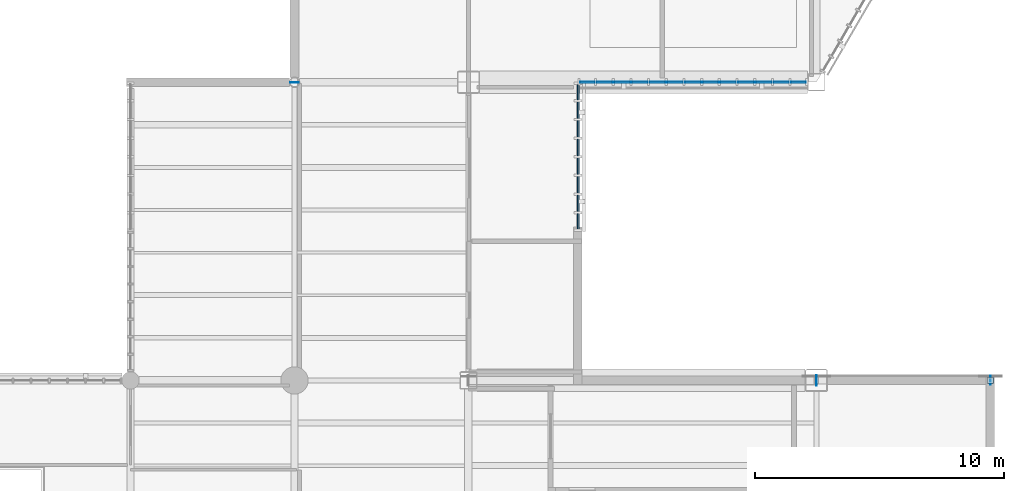
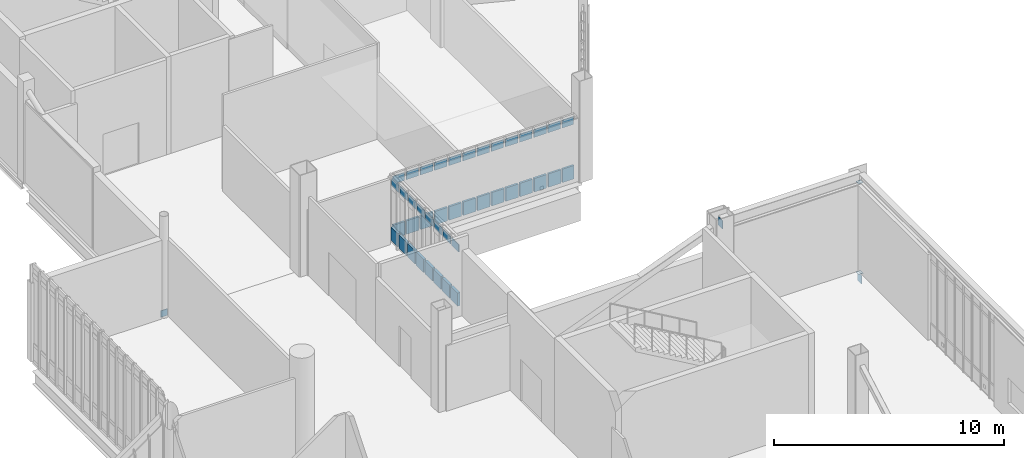
# One storey, part 95 of 127: 47 plates, 2 elements without a shape of their own.
"""IFC4 building model written with IfcOpenShell, lengths in metres."""

from ifc_helpers import new_model, si_unit, direction, frame, origin, origin_2d, place, context, subcontext, project, spatial, rectangle, extrude, material, layer, layer_set, type_object, element, aggregate, save


model = new_model("IFC4")

# Units and contexts
model_context = context("Model", 3, precision=1e-05, world=origin(), true_north=direction((0.0, 1.0)))
body_context = subcontext(model_context, "Body", "Model", "MODEL_VIEW")
ifc_project = project(units=[si_unit("LENGTHUNIT", "METRE"), si_unit("AREAUNIT", "SQUARE_METRE"), si_unit("VOLUMEUNIT", "CUBIC_METRE"), si_unit("PLANEANGLEUNIT", "RADIAN"), si_unit("MASSUNIT", "GRAM", prefix="KILO")], contexts=[model_context])

# Site, building, storey
site_placement = place(None, origin())
site = spatial("IfcSite", under=ifc_project, at=site_placement, CompositionType="ELEMENT")
building_placement = place(site_placement, origin())
building = spatial("IfcBuilding", under=site, at=building_placement, Name="Larkvane Passage Sports Hall", CompositionType="ELEMENT")
storey_placement = place(building_placement, frame((0.0, 0.0, 5.39990234375)))
storey = spatial("IfcBuildingStorey", under=building, at=storey_placement, Name="L01", CompositionType="ELEMENT", Elevation=5.39990234375)

# Curtain wall, plates
ifc_material_1 = material(Name="Thermally broken aluminium and low-E glazing", Category="aluminium")
curtain_wall_type_1 = type_object("IfcCurtainWallType", Name="CW-STICK-FOYER", PredefinedType="USERDEFINED", material=ifc_material_1)
curtain_wall_1_placement = place(storey_placement, origin())
curtain_wall_1 = element("IfcCurtainWall", 1, at=curtain_wall_1_placement, inside=storey, type_object=curtain_wall_type_1, Name="Curtain wall CW5-L01-058", ObjectType="STICK CURTAIN WALL", PredefinedType="USERDEFINED")
ifc_material_2 = material(Name="Fire-stopped shadow-box spandrel panel")
ifc_layer_1 = layer(ifc_material_2, 0.10498046875)
ifc_layer_set_1 = layer_set([ifc_layer_1], Name="Fire-stopped shadow-box spandrel panel")
plate_type_1 = type_object("IfcPlateType", Name="CWP-SPD-105", PredefinedType="CURTAIN_PANEL", material=ifc_layer_set_1)
plate_1_placement = place(storey_placement, frame((144.87548828125, 63.60009765625, 0.08984375), z_axis=(0.0, 0.0, 1.0), x_axis=(-1.0, 0.0, 0.0)))
plate_1 = element("IfcPlate", 2, at=plate_1_placement, type_object=plate_type_1, Name="CW-03 panel 1.1", PredefinedType="CURTAIN_PANEL", context=body_context, shape_type="SweptSolid", body=[
    extrude(rectangle(XDim=0.576904296875, YDim=0.10498046875, at=origin_2d()), origin(), (0.0, 0.0, 1.0), 0.715087890625),
])
plate_2_placement = place(storey_placement, frame((144.186279296875, 63.60009765625, 0.08984375), z_axis=(0.0, 0.0, 1.0), x_axis=(-1.0, 0.0, 0.0)))
plate_2 = element("IfcPlate", 3, at=plate_2_placement, type_object=plate_type_1, Name="CW-03 panel 2.1", PredefinedType="CURTAIN_PANEL", context=body_context, shape_type="SweptSolid", body=[
    extrude(rectangle(XDim=0.621826171875, YDim=0.10498046875, at=origin_2d()), origin(), (0.0, 0.0, 1.0), 0.715087890625),
])
plate_3_placement = place(storey_placement, frame((143.474365234375, 63.60009765625, 0.08984375), z_axis=(0.0, 0.0, 1.0), x_axis=(-1.0, 0.0, 0.0)))
plate_3 = element("IfcPlate", 4, at=plate_3_placement, type_object=plate_type_1, Name="CW-03 panel 3.1", PredefinedType="CURTAIN_PANEL", context=body_context, shape_type="SweptSolid", body=[
    extrude(rectangle(XDim=0.621826171875, YDim=0.10498046875, at=origin_2d()), origin(), (0.0, 0.0, 1.0), 0.715087890625),
])
plate_4_placement = place(storey_placement, frame((142.762451171875, 63.60009765625, 0.08984375), z_axis=(0.0, 0.0, 1.0), x_axis=(-1.0, 0.0, 0.0)))
plate_4 = element("IfcPlate", 5, at=plate_4_placement, type_object=plate_type_1, Name="CW-03 panel 4.1", PredefinedType="CURTAIN_PANEL", context=body_context, shape_type="SweptSolid", body=[
    extrude(rectangle(XDim=0.621826171875, YDim=0.10498046875, at=origin_2d()), origin(), (0.0, 0.0, 1.0), 0.715087890625),
])
plate_5_placement = place(storey_placement, frame((142.05078125, 63.60009765625, 0.08984375), z_axis=(0.0, 0.0, 1.0), x_axis=(-1.0, 0.0, 0.0)))
plate_5 = element("IfcPlate", 6, at=plate_5_placement, type_object=plate_type_1, Name="CW-03 panel 5.1", PredefinedType="CURTAIN_PANEL", context=body_context, shape_type="SweptSolid", body=[
    extrude(rectangle(XDim=0.621826171875, YDim=0.10498046875, at=origin_2d()), origin(), (0.0, 0.0, 1.0), 0.715087890625),
])
plate_6_placement = place(storey_placement, frame((141.3388671875, 63.60009765625, 0.08984375), z_axis=(0.0, 0.0, 1.0), x_axis=(-1.0, 0.0, 0.0)))
plate_6 = element("IfcPlate", 7, at=plate_6_placement, type_object=plate_type_1, Name="CW-03 panel 6.1", PredefinedType="CURTAIN_PANEL", context=body_context, shape_type="SweptSolid", body=[
    extrude(rectangle(XDim=0.621826171875, YDim=0.10498046875, at=origin_2d()), origin(), (0.0, 0.0, 1.0), 0.715087890625),
])
plate_7_placement = place(storey_placement, frame((140.626953125, 63.60009765625, 0.08984375), z_axis=(0.0, 0.0, 1.0), x_axis=(-1.0, 0.0, 0.0)))
plate_7 = element("IfcPlate", 8, at=plate_7_placement, type_object=plate_type_1, Name="CW-03 panel 7.1", PredefinedType="CURTAIN_PANEL", context=body_context, shape_type="SweptSolid", body=[
    extrude(rectangle(XDim=0.621826171875, YDim=0.10498046875, at=origin_2d()), origin(), (0.0, 0.0, 1.0), 0.715087890625),
])
plate_8_placement = place(storey_placement, frame((139.9150390625, 63.60009765625, 0.08984375), z_axis=(0.0, 0.0, 1.0), x_axis=(-1.0, 0.0, 0.0)))
plate_8 = element("IfcPlate", 9, at=plate_8_placement, type_object=plate_type_1, Name="CW-03 panel 8.1", PredefinedType="CURTAIN_PANEL", context=body_context, shape_type="SweptSolid", body=[
    extrude(rectangle(XDim=0.621826171875, YDim=0.10498046875, at=origin_2d()), origin(), (0.0, 0.0, 1.0), 0.715087890625),
])
plate_9_placement = place(storey_placement, frame((139.203369140625, 63.60009765625, 0.08984375), z_axis=(0.0, 0.0, 1.0), x_axis=(-1.0, 0.0, 0.0)))
plate_9 = element("IfcPlate", 10, at=plate_9_placement, type_object=plate_type_1, Name="CW-03 panel 9.1", PredefinedType="CURTAIN_PANEL", context=body_context, shape_type="SweptSolid", body=[
    extrude(rectangle(XDim=0.621826171875, YDim=0.10498046875, at=origin_2d()), origin(), (0.0, 0.0, 1.0), 0.715087890625),
])
plate_10_placement = place(storey_placement, frame((138.491455078125, 63.60009765625, 0.08984375), z_axis=(0.0, 0.0, 1.0), x_axis=(-1.0, 0.0, 0.0)))
plate_10 = element("IfcPlate", 11, at=plate_10_placement, type_object=plate_type_1, Name="CW-03 panel 10.1", PredefinedType="CURTAIN_PANEL", context=body_context, shape_type="SweptSolid", body=[
    extrude(rectangle(XDim=0.621826171875, YDim=0.10498046875, at=origin_2d()), origin(), (0.0, 0.0, 1.0), 0.715087890625),
])
plate_11_placement = place(storey_placement, frame((137.779541015625, 63.60009765625, 0.08984375), z_axis=(0.0, 0.0, 1.0), x_axis=(-1.0, 0.0, 0.0)))
plate_11 = element("IfcPlate", 12, at=plate_11_placement, type_object=plate_type_1, Name="CW-03 panel 11.1", PredefinedType="CURTAIN_PANEL", context=body_context, shape_type="SweptSolid", body=[
    extrude(rectangle(XDim=0.621826171875, YDim=0.10498046875, at=origin_2d()), origin(), (0.0, 0.0, 1.0), 0.715087890625),
])
plate_12_placement = place(storey_placement, frame((137.06787109375, 63.60009765625, 0.08984375), z_axis=(0.0, 0.0, 1.0), x_axis=(-1.0, 0.0, 0.0)))
plate_12 = element("IfcPlate", 13, at=plate_12_placement, type_object=plate_type_1, Name="CW-03 panel 12.1", PredefinedType="CURTAIN_PANEL", context=body_context, shape_type="SweptSolid", body=[
    extrude(rectangle(XDim=0.621826171875, YDim=0.10498046875, at=origin_2d()), origin(), (0.0, 0.0, 1.0), 0.715087890625),
])
plate_13_placement = place(storey_placement, frame((136.37841796875, 63.60009765625, 0.08984375), z_axis=(0.0, 0.0, 1.0), x_axis=(-1.0, 0.0, 0.0)))
plate_13 = element("IfcPlate", 14, at=plate_13_placement, type_object=plate_type_1, Name="CW-03 panel 13.1", PredefinedType="CURTAIN_PANEL", context=body_context, shape_type="SweptSolid", body=[
    extrude(rectangle(XDim=0.576904296875, YDim=0.10498046875, at=origin_2d()), origin(), (0.0, 0.0, 1.0), 0.715087890625),
])

curtain_wall_type_2 = type_object("IfcCurtainWallType", Name="CW-CLINIC", PredefinedType="USERDEFINED", material=ifc_material_1)
curtain_wall_2_placement = place(storey_placement, origin())
curtain_wall_2 = element("IfcCurtainWall", 15, at=curtain_wall_2_placement, inside=storey, type_object=curtain_wall_type_2, Name="Curtain wall CW5-L01-059", ObjectType="UNITISED CURTAIN WALL", PredefinedType="USERDEFINED")
ifc_material_3 = material(Name="Deep insulated facade spandrel panel")
ifc_layer_2 = layer(ifc_material_3, 0.125)
ifc_layer_set_2 = layer_set([ifc_layer_2], Name="Deep insulated facade spandrel panel")
plate_type_2 = type_object("IfcPlateType", Name="CWP-SPD-125", PredefinedType="CURTAIN_PANEL", material=ifc_layer_set_2)
plate_14_placement = place(storey_placement, frame((136.0, 63.199951171875, 0.10009765625), z_axis=(0.0, 0.0, 1.0), x_axis=(0.0, -1.0, 0.0)))
plate_14 = element("IfcPlate", 16, at=plate_14_placement, type_object=plate_type_2, Name="CW-05 panel 1.1", PredefinedType="CURTAIN_PANEL", context=body_context, shape_type="SweptSolid", body=[
    extrude(rectangle(XDim=0.60009765625, YDim=0.125, at=origin_2d()), origin(), (0.0, 0.0, 1.0), 0.699951171875),
])
plate_15_placement = place(storey_placement, frame((136.0, 62.47509765625, 0.10009765625), z_axis=(0.0, 0.0, 1.0), x_axis=(0.0, -1.0, 0.0)))
plate_15 = element("IfcPlate", 17, at=plate_15_placement, type_object=plate_type_2, Name="CW-05 panel 2.1", PredefinedType="CURTAIN_PANEL", context=body_context, shape_type="SweptSolid", body=[
    extrude(rectangle(XDim=0.64990234375, YDim=0.125, at=origin_2d()), origin(), (0.0, 0.0, 1.0), 0.699951171875),
])
plate_16_placement = place(storey_placement, frame((136.0, 61.72509765625, 0.10009765625), z_axis=(0.0, 0.0, 1.0), x_axis=(0.0, -1.0, 0.0)))
plate_16 = element("IfcPlate", 18, at=plate_16_placement, type_object=plate_type_2, Name="CW-05 panel 3.1", PredefinedType="CURTAIN_PANEL", context=body_context, shape_type="SweptSolid", body=[
    extrude(rectangle(XDim=0.64990234375, YDim=0.125, at=origin_2d()), origin(), (0.0, 0.0, 1.0), 0.699951171875),
])
plate_17_placement = place(storey_placement, frame((136.0, 60.97509765625, 0.10009765625), z_axis=(0.0, 0.0, 1.0), x_axis=(0.0, -1.0, 0.0)))
plate_17 = element("IfcPlate", 19, at=plate_17_placement, type_object=plate_type_2, Name="CW-05 panel 4.1", PredefinedType="CURTAIN_PANEL", context=body_context, shape_type="SweptSolid", body=[
    extrude(rectangle(XDim=0.64990234375, YDim=0.125, at=origin_2d()), origin(), (0.0, 0.0, 1.0), 0.699951171875),
])
plate_18_placement = place(storey_placement, frame((136.0, 60.22509765625, 0.10009765625), z_axis=(0.0, 0.0, 1.0), x_axis=(0.0, -1.0, 0.0)))
plate_18 = element("IfcPlate", 20, at=plate_18_placement, type_object=plate_type_2, Name="CW-05 panel 5.1", PredefinedType="CURTAIN_PANEL", context=body_context, shape_type="SweptSolid", body=[
    extrude(rectangle(XDim=0.64990234375, YDim=0.125, at=origin_2d()), origin(), (0.0, 0.0, 1.0), 0.699951171875),
])
plate_19_placement = place(storey_placement, frame((136.0, 59.47509765625, 0.10009765625), z_axis=(0.0, 0.0, 1.0), x_axis=(0.0, -1.0, 0.0)))
plate_19 = element("IfcPlate", 21, at=plate_19_placement, type_object=plate_type_2, Name="CW-05 panel 6.1", PredefinedType="CURTAIN_PANEL", context=body_context, shape_type="SweptSolid", body=[
    extrude(rectangle(XDim=0.64990234375, YDim=0.125, at=origin_2d()), origin(), (0.0, 0.0, 1.0), 0.699951171875),
])
plate_20_placement = place(storey_placement, frame((136.0, 58.72509765625, 0.10009765625), z_axis=(0.0, 0.0, 1.0), x_axis=(0.0, -1.0, 0.0)))
plate_20 = element("IfcPlate", 22, at=plate_20_placement, type_object=plate_type_2, Name="CW-05 panel 7.1", PredefinedType="CURTAIN_PANEL", context=body_context, shape_type="SweptSolid", body=[
    extrude(rectangle(XDim=0.64990234375, YDim=0.125, at=origin_2d()), origin(), (0.0, 0.0, 1.0), 0.699951171875),
])
plate_21_placement = place(storey_placement, frame((136.0, 58.0, 0.10009765625), z_axis=(0.0, 0.0, 1.0), x_axis=(0.0, -1.0, 0.0)))
plate_21 = element("IfcPlate", 23, at=plate_21_placement, type_object=plate_type_2, Name="CW-05 panel 8.1", PredefinedType="CURTAIN_PANEL", context=body_context, shape_type="SweptSolid", body=[
    extrude(rectangle(XDim=0.60009765625, YDim=0.125, at=origin_2d()), origin(), (0.0, 0.0, 1.0), 0.699951171875),
])

# Plate
ifc_material_4 = material(Name="High-impact court low-E glazing", Category="glass")
ifc_layer_3 = layer(ifc_material_4, 0.035888671875)
ifc_layer_set_3 = layer_set([ifc_layer_3], Name="High-impact court low-E glazing")
plate_type_3 = type_object("IfcPlateType", Name="CWP-VIS-36", PredefinedType="CURTAIN_PANEL", material=ifc_layer_set_3)
plate_22_placement = place(storey_placement, frame((144.87548828125, 63.60009765625, 2.963134765625), z_axis=(0.0, 0.0, 1.0), x_axis=(-1.0, 0.0, 0.0)))
plate_22 = element("IfcPlate", 24, at=plate_22_placement, type_object=plate_type_3, Name="CW-03 panel 1.3", PredefinedType="CURTAIN_PANEL", context=body_context, shape_type="SweptSolid", body=[
    extrude(rectangle(XDim=0.576904296875, YDim=0.035888671875, at=origin_2d()), origin(), (0.0, 0.0, 1.0), 0.4150390625),
])

plate_23_placement = place(storey_placement, frame((144.186279296875, 63.60009765625, 2.963134765625), z_axis=(0.0, 0.0, 1.0), x_axis=(-1.0, 0.0, 0.0)))
plate_23 = element("IfcPlate", 25, at=plate_23_placement, type_object=plate_type_3, Name="CW-03 panel 2.3", PredefinedType="CURTAIN_PANEL", context=body_context, shape_type="SweptSolid", body=[
    extrude(rectangle(XDim=0.621826171875, YDim=0.035888671875, at=origin_2d()), origin(), (0.0, 0.0, 1.0), 0.4150390625),
])

plate_24_placement = place(storey_placement, frame((143.474365234375, 63.60009765625, 2.963134765625), z_axis=(0.0, 0.0, 1.0), x_axis=(-1.0, 0.0, 0.0)))
plate_24 = element("IfcPlate", 26, at=plate_24_placement, type_object=plate_type_3, Name="CW-03 panel 3.3", PredefinedType="CURTAIN_PANEL", context=body_context, shape_type="SweptSolid", body=[
    extrude(rectangle(XDim=0.621826171875, YDim=0.035888671875, at=origin_2d()), origin(), (0.0, 0.0, 1.0), 0.4150390625),
])

plate_25_placement = place(storey_placement, frame((142.762451171875, 63.60009765625, 2.963134765625), z_axis=(0.0, 0.0, 1.0), x_axis=(-1.0, 0.0, 0.0)))
plate_25 = element("IfcPlate", 27, at=plate_25_placement, type_object=plate_type_3, Name="CW-03 panel 4.3", PredefinedType="CURTAIN_PANEL", context=body_context, shape_type="SweptSolid", body=[
    extrude(rectangle(XDim=0.621826171875, YDim=0.035888671875, at=origin_2d()), origin(), (0.0, 0.0, 1.0), 0.4150390625),
])

plate_26_placement = place(storey_placement, frame((142.05078125, 63.60009765625, 2.963134765625), z_axis=(0.0, 0.0, 1.0), x_axis=(-1.0, 0.0, 0.0)))
plate_26 = element("IfcPlate", 28, at=plate_26_placement, type_object=plate_type_3, Name="CW-03 panel 5.3", PredefinedType="CURTAIN_PANEL", context=body_context, shape_type="SweptSolid", body=[
    extrude(rectangle(XDim=0.621826171875, YDim=0.035888671875, at=origin_2d()), origin(), (0.0, 0.0, 1.0), 0.4150390625),
])

plate_27_placement = place(storey_placement, frame((141.3388671875, 63.60009765625, 2.963134765625), z_axis=(0.0, 0.0, 1.0), x_axis=(-1.0, 0.0, 0.0)))
plate_27 = element("IfcPlate", 29, at=plate_27_placement, type_object=plate_type_3, Name="CW-03 panel 6.3", PredefinedType="CURTAIN_PANEL", context=body_context, shape_type="SweptSolid", body=[
    extrude(rectangle(XDim=0.621826171875, YDim=0.035888671875, at=origin_2d()), origin(), (0.0, 0.0, 1.0), 0.4150390625),
])

plate_28_placement = place(storey_placement, frame((140.626953125, 63.60009765625, 2.963134765625), z_axis=(0.0, 0.0, 1.0), x_axis=(-1.0, 0.0, 0.0)))
plate_28 = element("IfcPlate", 30, at=plate_28_placement, type_object=plate_type_3, Name="CW-03 panel 7.3", PredefinedType="CURTAIN_PANEL", context=body_context, shape_type="SweptSolid", body=[
    extrude(rectangle(XDim=0.621826171875, YDim=0.035888671875, at=origin_2d()), origin(), (0.0, 0.0, 1.0), 0.4150390625),
])

plate_29_placement = place(storey_placement, frame((139.9150390625, 63.60009765625, 2.963134765625), z_axis=(0.0, 0.0, 1.0), x_axis=(-1.0, 0.0, 0.0)))
plate_29 = element("IfcPlate", 31, at=plate_29_placement, type_object=plate_type_3, Name="CW-03 panel 8.3", PredefinedType="CURTAIN_PANEL", context=body_context, shape_type="SweptSolid", body=[
    extrude(rectangle(XDim=0.621826171875, YDim=0.035888671875, at=origin_2d()), origin(), (0.0, 0.0, 1.0), 0.4150390625),
])

plate_30_placement = place(storey_placement, frame((139.203369140625, 63.60009765625, 2.963134765625), z_axis=(0.0, 0.0, 1.0), x_axis=(-1.0, 0.0, 0.0)))
plate_30 = element("IfcPlate", 32, at=plate_30_placement, type_object=plate_type_3, Name="CW-03 panel 9.3", PredefinedType="CURTAIN_PANEL", context=body_context, shape_type="SweptSolid", body=[
    extrude(rectangle(XDim=0.621826171875, YDim=0.035888671875, at=origin_2d()), origin(), (0.0, 0.0, 1.0), 0.4150390625),
])

plate_31_placement = place(storey_placement, frame((138.491455078125, 63.60009765625, 2.963134765625), z_axis=(0.0, 0.0, 1.0), x_axis=(-1.0, 0.0, 0.0)))
plate_31 = element("IfcPlate", 33, at=plate_31_placement, type_object=plate_type_3, Name="CW-03 panel 10.3", PredefinedType="CURTAIN_PANEL", context=body_context, shape_type="SweptSolid", body=[
    extrude(rectangle(XDim=0.621826171875, YDim=0.035888671875, at=origin_2d()), origin(), (0.0, 0.0, 1.0), 0.4150390625),
])

plate_32_placement = place(storey_placement, frame((137.779541015625, 63.60009765625, 2.963134765625), z_axis=(0.0, 0.0, 1.0), x_axis=(-1.0, 0.0, 0.0)))
plate_32 = element("IfcPlate", 34, at=plate_32_placement, type_object=plate_type_3, Name="CW-03 panel 11.3", PredefinedType="CURTAIN_PANEL", context=body_context, shape_type="SweptSolid", body=[
    extrude(rectangle(XDim=0.621826171875, YDim=0.035888671875, at=origin_2d()), origin(), (0.0, 0.0, 1.0), 0.4150390625),
])

plate_33_placement = place(storey_placement, frame((137.06787109375, 63.60009765625, 2.963134765625), z_axis=(0.0, 0.0, 1.0), x_axis=(-1.0, 0.0, 0.0)))
plate_33 = element("IfcPlate", 35, at=plate_33_placement, type_object=plate_type_3, Name="CW-03 panel 12.3", PredefinedType="CURTAIN_PANEL", context=body_context, shape_type="SweptSolid", body=[
    extrude(rectangle(XDim=0.621826171875, YDim=0.035888671875, at=origin_2d()), origin(), (0.0, 0.0, 1.0), 0.4150390625),
])

plate_34_placement = place(storey_placement, frame((136.37841796875, 63.60009765625, 2.963134765625), z_axis=(0.0, 0.0, 1.0), x_axis=(-1.0, 0.0, 0.0)))
plate_34 = element("IfcPlate", 36, at=plate_34_placement, type_object=plate_type_3, Name="CW-03 panel 13.3", PredefinedType="CURTAIN_PANEL", context=body_context, shape_type="SweptSolid", body=[
    extrude(rectangle(XDim=0.576904296875, YDim=0.035888671875, at=origin_2d()), origin(), (0.0, 0.0, 1.0), 0.4150390625),
])

aggregate(curtain_wall_1, [plate_1, plate_22, plate_2, plate_23, plate_3, plate_24, plate_4, plate_25, plate_5, plate_26, plate_6, plate_27, plate_7, plate_28, plate_8, plate_29, plate_9, plate_30, plate_10, plate_31, plate_11, plate_32, plate_12, plate_33, plate_13, plate_34])

ifc_material_5 = material(Name="Triple-laminated typhoon glazing", Category="glass")
ifc_layer_4 = layer(ifc_material_5, 0.0419921875)
ifc_layer_set_4 = layer_set([ifc_layer_4], Name="Triple-laminated typhoon glazing")
plate_type_4 = type_object("IfcPlateType", Name="CWP-VIS-42", PredefinedType="CURTAIN_PANEL", material=ifc_layer_set_4)
plate_35_placement = place(storey_placement, frame((136.0, 63.199951171875, 2.96826171875), z_axis=(0.0, 0.0, 1.0), x_axis=(0.0, -1.0, 0.0)))
plate_35 = element("IfcPlate", 37, at=plate_35_placement, type_object=plate_type_4, Name="CW-05 panel 1.3", PredefinedType="CURTAIN_PANEL", context=body_context, shape_type="SweptSolid", body=[
    extrude(rectangle(XDim=0.60009765625, YDim=0.0419921875, at=origin_2d()), origin(), (0.0, 0.0, 1.0), 0.39990234375),
])

plate_36_placement = place(storey_placement, frame((136.0, 62.47509765625, 2.96826171875), z_axis=(0.0, 0.0, 1.0), x_axis=(0.0, -1.0, 0.0)))
plate_36 = element("IfcPlate", 38, at=plate_36_placement, type_object=plate_type_4, Name="CW-05 panel 2.3", PredefinedType="CURTAIN_PANEL", context=body_context, shape_type="SweptSolid", body=[
    extrude(rectangle(XDim=0.64990234375, YDim=0.0419921875, at=origin_2d()), origin(), (0.0, 0.0, 1.0), 0.39990234375),
])

plate_37_placement = place(storey_placement, frame((136.0, 61.72509765625, 2.96826171875), z_axis=(0.0, 0.0, 1.0), x_axis=(0.0, -1.0, 0.0)))
plate_37 = element("IfcPlate", 39, at=plate_37_placement, type_object=plate_type_4, Name="CW-05 panel 3.3", PredefinedType="CURTAIN_PANEL", context=body_context, shape_type="SweptSolid", body=[
    extrude(rectangle(XDim=0.64990234375, YDim=0.0419921875, at=origin_2d()), origin(), (0.0, 0.0, 1.0), 0.39990234375),
])

plate_38_placement = place(storey_placement, frame((136.0, 60.97509765625, 2.96826171875), z_axis=(0.0, 0.0, 1.0), x_axis=(0.0, -1.0, 0.0)))
plate_38 = element("IfcPlate", 40, at=plate_38_placement, type_object=plate_type_4, Name="CW-05 panel 4.3", PredefinedType="CURTAIN_PANEL", context=body_context, shape_type="SweptSolid", body=[
    extrude(rectangle(XDim=0.64990234375, YDim=0.0419921875, at=origin_2d()), origin(), (0.0, 0.0, 1.0), 0.39990234375),
])

plate_39_placement = place(storey_placement, frame((136.0, 60.22509765625, 2.96826171875), z_axis=(0.0, 0.0, 1.0), x_axis=(0.0, -1.0, 0.0)))
plate_39 = element("IfcPlate", 41, at=plate_39_placement, type_object=plate_type_4, Name="CW-05 panel 5.3", PredefinedType="CURTAIN_PANEL", context=body_context, shape_type="SweptSolid", body=[
    extrude(rectangle(XDim=0.64990234375, YDim=0.0419921875, at=origin_2d()), origin(), (0.0, 0.0, 1.0), 0.39990234375),
])

plate_40_placement = place(storey_placement, frame((136.0, 59.47509765625, 2.96826171875), z_axis=(0.0, 0.0, 1.0), x_axis=(0.0, -1.0, 0.0)))
plate_40 = element("IfcPlate", 42, at=plate_40_placement, type_object=plate_type_4, Name="CW-05 panel 6.3", PredefinedType="CURTAIN_PANEL", context=body_context, shape_type="SweptSolid", body=[
    extrude(rectangle(XDim=0.64990234375, YDim=0.0419921875, at=origin_2d()), origin(), (0.0, 0.0, 1.0), 0.39990234375),
])

plate_41_placement = place(storey_placement, frame((136.0, 58.72509765625, 2.96826171875), z_axis=(0.0, 0.0, 1.0), x_axis=(0.0, -1.0, 0.0)))
plate_41 = element("IfcPlate", 43, at=plate_41_placement, type_object=plate_type_4, Name="CW-05 panel 7.3", PredefinedType="CURTAIN_PANEL", context=body_context, shape_type="SweptSolid", body=[
    extrude(rectangle(XDim=0.64990234375, YDim=0.0419921875, at=origin_2d()), origin(), (0.0, 0.0, 1.0), 0.39990234375),
])

plate_42_placement = place(storey_placement, frame((136.0, 58.0, 2.96826171875), z_axis=(0.0, 0.0, 1.0), x_axis=(0.0, -1.0, 0.0)))
plate_42 = element("IfcPlate", 44, at=plate_42_placement, type_object=plate_type_4, Name="CW-05 panel 8.3", PredefinedType="CURTAIN_PANEL", context=body_context, shape_type="SweptSolid", body=[
    extrude(rectangle(XDim=0.60009765625, YDim=0.0419921875, at=origin_2d()), origin(), (0.0, 0.0, 1.0), 0.39990234375),
])

aggregate(curtain_wall_2, [plate_14, plate_35, plate_15, plate_36, plate_16, plate_37, plate_17, plate_38, plate_18, plate_39, plate_19, plate_40, plate_20, plate_41, plate_21, plate_42])

# Plates
ifc_material_6 = material(Name="Steel S355JR", Category="steel")
ifc_layer_5 = layer(ifc_material_6, 0.011962890625)
ifc_layer_set_5 = layer_set([ifc_layer_5], Name="Steel S355JR")
plate_type_5 = type_object("IfcPlateType", Name="PLT-CAP-12", PredefinedType="SHEET", material=ifc_layer_set_5)
for number, where, z_axis, x_axis, name in (
    (45, (152.60009765625, 51.60009765625, -0.24169921875), (0.0, 0.0, 1.0), (1.0, 0.0, 0.0), "Hollow section sealed end cap plate 0166"),
    (46, (152.60009765625, 51.60009765625, 4.56201171875), (0.0, 0.0, 1.0), (1.0, 0.0, 0.0), "Hollow section sealed end cap plate 0167"),
):
    element("IfcPlate", number, at=place(storey_placement, frame(where, z_axis=z_axis, x_axis=x_axis)), inside=storey, type_object=plate_type_5, Name=name, PredefinedType="SHEET", context=body_context, shape_type="SweptSolid", body=[
        extrude(rectangle(XDim=0.239990234375, YDim=0.239990234375, at=origin_2d()), origin(), (0.0, 0.0, 1.0), 0.011962890625),
    ])
plate_43_placement = place(storey_placement, frame((124.60009765625, 63.594482421875, -0.025390625), z_axis=(0.0, 0.0, 1.0), x_axis=(-1.0, 0.0, 0.0)))
element("IfcPlate", 47, at=plate_43_placement, inside=storey, type_object=plate_type_5, Name="Hollow section sealed end cap plate 0589", PredefinedType="SHEET", context=body_context, shape_type="SweptSolid", body=[
    extrude(rectangle(XDim=0.326904296875, YDim=0.028076171875, at=origin_2d()), origin(), (0.0, 0.0, 1.0), 0.346923828125),
])
ifc_material_7 = material(Name="Steel S460N", Category="steel")
ifc_layer_6 = layer(ifc_material_7, 0.02001953125)
ifc_layer_set_6 = layer_set([ifc_layer_6], Name="Steel S460N")
plate_type_6 = type_object("IfcPlateType", Name="PLT-CAP-20", PredefinedType="SHEET", material=ifc_layer_set_6)
plate_44_placement = place(storey_placement, frame((145.609375, 51.60009765625, 4.64208984375), z_axis=(0.0, 0.0, 1.0), x_axis=(0.0, 1.0, 0.0)))
element("IfcPlate", 48, at=plate_44_placement, inside=storey, type_object=plate_type_6, Name="Hollow section sealed end cap plate 0164", PredefinedType="SHEET", context=body_context, shape_type="SweptSolid", body=[
    extrude(rectangle(XDim=0.409912109375, YDim=0.028076171875, at=origin_2d()), origin(), (0.0, 0.0, 1.0), 0.43505859375),
])
plate_45_placement = place(storey_placement, frame((152.60791015625, 51.60009765625, -0.7490234375), z_axis=(0.0, 0.0, 1.0), x_axis=(0.0, 1.0, 0.0)))
element("IfcPlate", 49, at=plate_45_placement, inside=storey, type_object=plate_type_6, Name="Hollow section sealed end cap plate 0165", PredefinedType="SHEET", context=body_context, shape_type="SweptSolid", body=[
    extrude(rectangle(XDim=0.360107421875, YDim=0.028076171875, at=origin_2d()), origin(), (0.0, 0.0, 1.0), 0.43798828125),
])

save(model, "model.ifc")
